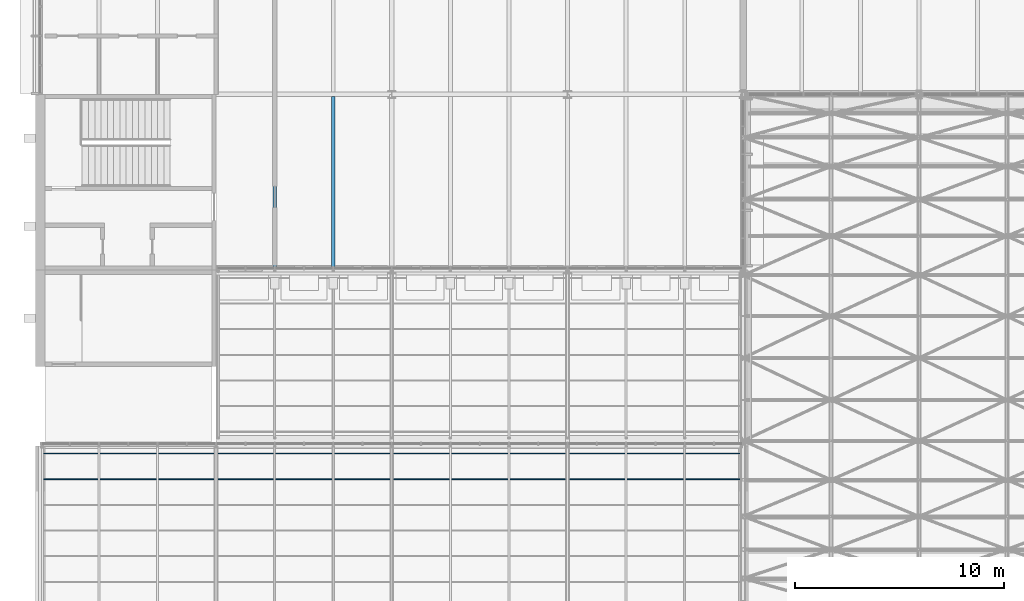
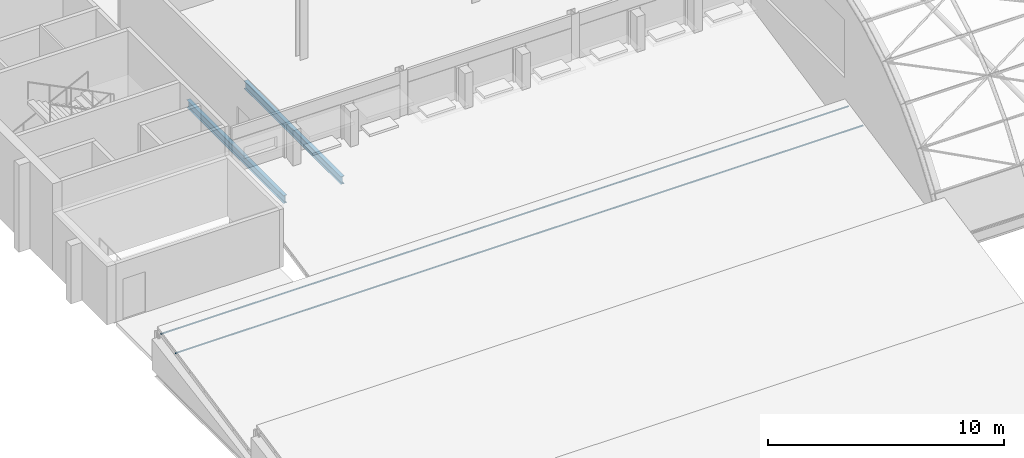
# One storey, part 31 of 121: 2 beams, 2 members.
"""IFC4 building model written with IfcOpenShell, lengths in metres."""

from ifc_helpers import new_model, si_unit, direction, frame, origin, origin_2d, place, context, subcontext, project, spatial, hollow_rectangle, i_section, extrude, material, material_profile, profile_set, type_object, element, save


model = new_model("IFC4")

# Units and contexts
model_context = context("Model", 3, precision=1e-05, world=origin(), true_north=direction((0.0, 1.0)))
body_context = subcontext(model_context, "Body", "Model", "MODEL_VIEW")
ifc_project = project(units=[si_unit("LENGTHUNIT", "METRE"), si_unit("AREAUNIT", "SQUARE_METRE"), si_unit("VOLUMEUNIT", "CUBIC_METRE"), si_unit("PLANEANGLEUNIT", "RADIAN"), si_unit("MASSUNIT", "GRAM", prefix="KILO")], contexts=[model_context])

# Site, building, storey
site_placement = place(None, origin())
site = spatial("IfcSite", under=ifc_project, at=site_placement, CompositionType="ELEMENT")
building_placement = place(site_placement, origin())
building = spatial("IfcBuilding", under=site, at=building_placement, Name="Ardhachandra Cancer Care Centre", CompositionType="ELEMENT")
storey_placement = place(building_placement, frame((0.0, 0.0, 9.0)))
storey = spatial("IfcBuildingStorey", under=building, at=storey_placement, Name="L02", CompositionType="ELEMENT", Elevation=9.0)

# Beams
ifc_material_1 = material(Name="Steel E350 (IS 2062)", Category="steel")
ifc_material_profile_1 = material_profile(ifc_material_1, i_section(OverallWidth=0.179931640625, OverallDepth=0.39990234375, WebThickness=0.008544921875, FlangeThickness=0.013427734375, FilletRadius=0.02099609375, at=origin_2d()), Name="NPB 400x180x66.30")
ifc_profile_set_1 = profile_set([ifc_material_profile_1], Name="Steel E350 (IS 2062)")
beam_type = type_object("IfcBeamType", Name="Beam NPB 400x180x66.30", PredefinedType="BEAM", material=ifc_profile_set_1)
for number, where, z_axis, x_axis, name in (
    (1, (22.0, 71.5, -0.35009765625), (0.0, 1.0, 0.0), (-1.0, 0.0, 0.0), "Secondary H2-J2@2800"),
    (2, (24.800048828125, 71.5, -0.35009765625), (0.0, 1.0, 0.0), (-1.0, 0.0, 0.0), "Secondary H2-J2@5600"),
):
    element("IfcBeam", number, at=place(storey_placement, frame(where, z_axis=z_axis, x_axis=x_axis)), inside=storey, type_object=beam_type, Name=name, PredefinedType="BEAM", context=body_context, shape_type="SweptSolid", body=[
        extrude(i_section(OverallWidth=0.179931640625, OverallDepth=0.39990234375, WebThickness=0.008544921875, FlangeThickness=0.013427734375, FilletRadius=0.02099609375, at=origin_2d()), origin(), (0.0, 0.0, 1.0), 8.195068359375),
    ])

# Members
ifc_material_2 = material(Name="Steel E350 (IS 2062)", Category="steel")
ifc_material_profile_2 = material_profile(ifc_material_2, hollow_rectangle(XDim=0.0400390625, YDim=0.080078125, WallThickness=0.00390625, InnerFilletRadius=0.00390625, OuterFilletRadius=0.008056640625, at=origin_2d()), Name="RHS 80x40x4.0")
ifc_profile_set_2 = profile_set([ifc_material_profile_2], Name="Steel E350 (IS 2062)")
member_type = type_object("IfcMemberType", Name="Roof purlin RHS 80x40x4.0", PredefinedType="PURLIN", material=ifc_profile_set_2)
for number, where, z_axis, x_axis, name in (
    (3, (10.800048828125, 61.40576171875, 1.741943359375), (1.0, 0.0, 0.0), (0.0, 0.980106641092, 0.198471590126), "Purlin T4a.6"),
    (4, (10.800048828125, 62.63232421875, 1.990478515625), (1.0, 0.0, 0.0), (0.0, 0.980106641092, 0.198471590126), "Purlin T4a.7"),
):
    element("IfcMember", number, at=place(storey_placement, frame(where, z_axis=z_axis, x_axis=x_axis)), inside=storey, type_object=member_type, Name=name, PredefinedType="PURLIN", context=body_context, shape_type="SweptSolid", body=[
        extrude(hollow_rectangle(XDim=0.0400390625, YDim=0.080078125, WallThickness=0.00390625, InnerFilletRadius=0.00390625, OuterFilletRadius=0.008056640625, at=origin_2d()), origin(), (0.0, 0.0, 1.0), 33.599853515625),
    ])

save(model, "model.ifc")
